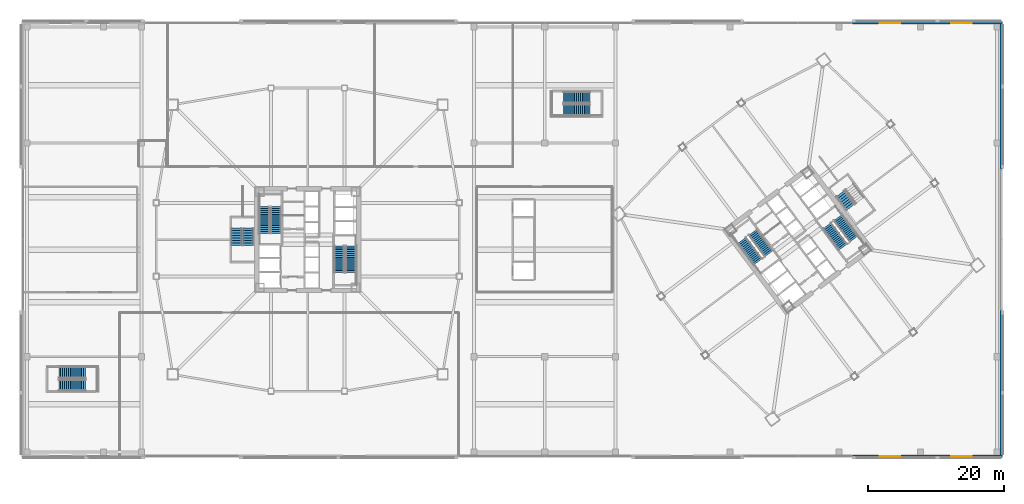
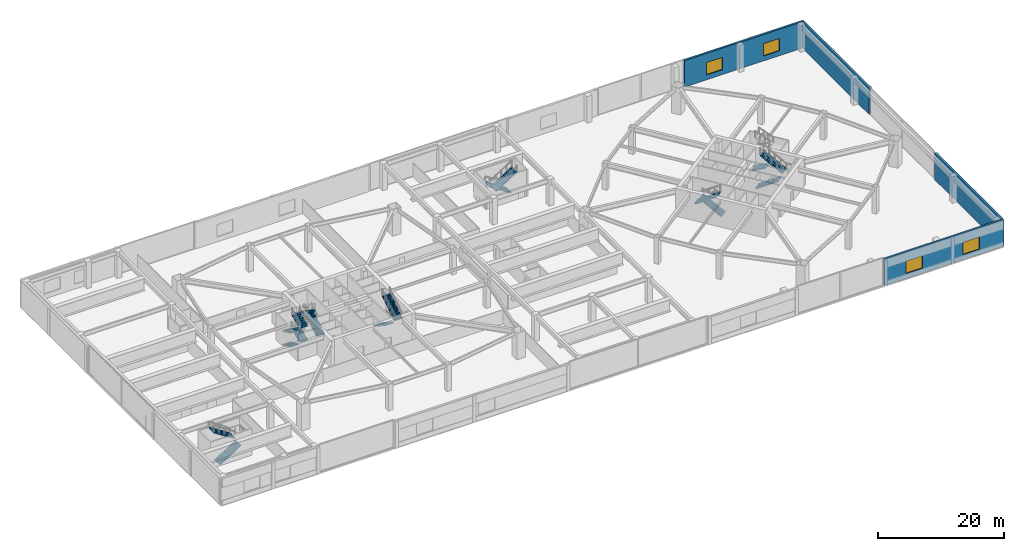
# One storey, part 38 of 48: 17 stair flights, 4 walls, 4 windows, 4 openings, 8 elements without a shape of their own.
"""IFC4 building model written with IfcOpenShell, lengths in metres."""

from ifc_helpers import new_model, si_unit, direction, frame, frame_2d, origin, place, context, subcontext, project, spatial, polyline, rectangle, outline, extrude, material, layer, layer_set, type_object, element, fill, aggregate, save


model = new_model("IFC4")

# Units and contexts
model_context = context("Model", 3, precision=1e-05, world=origin(), true_north=direction((0.0, 1.0)))
body_context = subcontext(model_context, "Body", "Model", "MODEL_VIEW")
ifc_project = project(units=[si_unit("LENGTHUNIT", "METRE"), si_unit("AREAUNIT", "SQUARE_METRE"), si_unit("VOLUMEUNIT", "CUBIC_METRE"), si_unit("PLANEANGLEUNIT", "RADIAN"), si_unit("MASSUNIT", "GRAM", prefix="KILO")], contexts=[model_context])

# Site, building, storey
site_placement = place(None, origin())
site = spatial("IfcSite", under=ifc_project, at=site_placement, CompositionType="ELEMENT")
building_placement = place(site_placement, origin())
building = spatial("IfcBuilding", under=site, at=building_placement, Name="Tashvorn Skyway Center", CompositionType="ELEMENT")
storey_placement = place(building_placement, frame((0.0, 0.0, 10.199951171875)))
storey = spatial("IfcBuildingStorey", under=building, at=storey_placement, Name="L02", CompositionType="ELEMENT", Elevation=10.199951171875)

# Wall, openings, windows
ifc_material_1 = material(Name="Precast concrete C40/50", Category="concrete")
ifc_layer = layer(ifc_material_1, 0.35009765625)
ifc_layer_set = layer_set([ifc_layer], Name="Precast concrete C40/50")
wall_type = type_object("IfcWallType", Name="WALL-EXT-350", PredefinedType="SOLIDWALL", material=ifc_layer_set)
wall_1_placement = place(storey_placement, frame((144.0, 0.175048828125, 0.0), z_axis=(0.0, 0.0, 1.0), x_axis=(-1.0, 0.0, 0.0)))
wall_1 = element("IfcWall", 1, at=wall_1_placement, inside=storey, type_object=wall_type, Name="L02 South Postmodern Pier Wall E1", PredefinedType="SOLIDWALL", context=body_context, shape_type="SweptSolid", body=[
    extrude(rectangle(XDim=22.0, YDim=0.35009765625, at=frame_2d((11.0, 0.0))), origin(), (0.0, 0.0, 1.0), 5.14013671875),
])
opening_1_placement = place(wall_1_placement, frame((15.0, 0.0, 0.949951171875)))
opening_1 = element("IfcOpeningElement", 2, at=opening_1_placement, cuts=wall_1, Name="Opening WIN-3000", PredefinedType="OPENING", context=body_context, shape_type="SweptSolid", body=[
    extrude(rectangle(XDim=3.0, YDim=2.39990234375, at=frame_2d((1.5, 1.199951171875))), frame((0.0, 0.18505859375, 0.0), z_axis=(0.0, -1.0, 0.0), x_axis=(1.0, 0.0, 0.0)), (0.0, 0.0, 1.0), 0.3701171875),
])
opening_2_placement = place(wall_1_placement, frame((4.5, 0.0, 0.949951171875)))
opening_2 = element("IfcOpeningElement", 3, at=opening_2_placement, cuts=wall_1, Name="Opening WIN-3000", PredefinedType="OPENING", context=body_context, shape_type="SweptSolid", body=[
    extrude(rectangle(XDim=3.0, YDim=2.39990234375, at=frame_2d((1.5, 1.199951171875))), frame((0.0, 0.18505859375, 0.0), z_axis=(0.0, -1.0, 0.0), x_axis=(1.0, 0.0, 0.0)), (0.0, 0.0, 1.0), 0.3701171875),
])
ifc_material_2 = material(Name="Low-E solar-control double insulating safety glass", Category="glass")
window_type = type_object("IfcWindowType", Name="WIN-POD-3000", PartitioningType="SINGLE_PANEL", PredefinedType="WINDOW", material=ifc_material_2)
window_1_placement = place(opening_1_placement, origin())
window_1 = element("IfcWindow", 4, at=window_1_placement, inside=storey, type_object=window_type, Name="L02 South Station Pier Window 06", OverallHeight=2.39990234375, OverallWidth=3.0, PartitioningType="SINGLE_PANEL", PredefinedType="WINDOW", context=body_context, shape_type="SweptSolid", body=[
    extrude(rectangle(XDim=3.0, YDim=2.39990234375, at=frame_2d((1.5, 1.199951171875))), frame((0.0, 0.030029296875, 0.0), z_axis=(0.0, -1.0, 0.0), x_axis=(1.0, 0.0, 0.0)), (0.0, 0.0, 1.0), 0.06005859375),
])
fill(opening_1, window_1)
window_2_placement = place(opening_2_placement, origin())
window_2 = element("IfcWindow", 5, at=window_2_placement, inside=storey, type_object=window_type, Name="L02 South Station Pier Window 07", OverallHeight=2.39990234375, OverallWidth=3.0, PartitioningType="SINGLE_PANEL", PredefinedType="WINDOW", context=body_context, shape_type="SweptSolid", body=[
    extrude(rectangle(XDim=3.0, YDim=2.39990234375, at=frame_2d((1.5, 1.199951171875))), frame((0.0, 0.030029296875, 0.0), z_axis=(0.0, -1.0, 0.0), x_axis=(1.0, 0.0, 0.0)), (0.0, 0.0, 1.0), 0.06005859375),
])
fill(opening_2, window_2)

wall_2_placement = place(storey_placement, frame((122.0, 63.824951171875, 0.0), z_axis=(0.0, 0.0, 1.0), x_axis=(1.0, 0.0, 0.0)))
wall_2 = element("IfcWall", 6, at=wall_2_placement, inside=storey, type_object=wall_type, Name="L02 North Postmodern Pier Wall E1", PredefinedType="SOLIDWALL", context=body_context, shape_type="SweptSolid", body=[
    extrude(rectangle(XDim=22.0, YDim=0.35009765625, at=frame_2d((11.0, 0.0))), origin(), (0.0, 0.0, 1.0), 5.14013671875),
])
opening_3_placement = place(wall_2_placement, frame((4.0, 0.0, 0.949951171875)))
opening_3 = element("IfcOpeningElement", 7, at=opening_3_placement, cuts=wall_2, Name="Opening WIN-3000", PredefinedType="OPENING", context=body_context, shape_type="SweptSolid", body=[
    extrude(rectangle(XDim=3.0, YDim=2.39990234375, at=frame_2d((1.5, 1.199951171875))), frame((0.0, 0.18505859375, 0.0), z_axis=(0.0, -1.0, 0.0), x_axis=(1.0, 0.0, 0.0)), (0.0, 0.0, 1.0), 0.3701171875),
])
opening_4_placement = place(wall_2_placement, frame((14.5, 0.0, 0.949951171875)))
opening_4 = element("IfcOpeningElement", 8, at=opening_4_placement, cuts=wall_2, Name="Opening WIN-3000", PredefinedType="OPENING", context=body_context, shape_type="SweptSolid", body=[
    extrude(rectangle(XDim=3.0, YDim=2.39990234375, at=frame_2d((1.5, 1.199951171875))), frame((0.0, 0.18505859375, 0.0), z_axis=(0.0, -1.0, 0.0), x_axis=(1.0, 0.0, 0.0)), (0.0, 0.0, 1.0), 0.3701171875),
])
window_3_placement = place(opening_3_placement, origin())
window_3 = element("IfcWindow", 9, at=window_3_placement, inside=storey, type_object=window_type, Name="L02 North Station Pier Window 06", OverallHeight=2.39990234375, OverallWidth=3.0, PartitioningType="SINGLE_PANEL", PredefinedType="WINDOW", context=body_context, shape_type="SweptSolid", body=[
    extrude(rectangle(XDim=3.0, YDim=2.39990234375, at=frame_2d((1.5, 1.199951171875))), frame((0.0, 0.030029296875, 0.0), z_axis=(0.0, -1.0, 0.0), x_axis=(1.0, 0.0, 0.0)), (0.0, 0.0, 1.0), 0.06005859375),
])
fill(opening_3, window_3)
window_4_placement = place(opening_4_placement, origin())
window_4 = element("IfcWindow", 10, at=window_4_placement, inside=storey, type_object=window_type, Name="L02 North Station Pier Window 07", OverallHeight=2.39990234375, OverallWidth=3.0, PartitioningType="SINGLE_PANEL", PredefinedType="WINDOW", context=body_context, shape_type="SweptSolid", body=[
    extrude(rectangle(XDim=3.0, YDim=2.39990234375, at=frame_2d((1.5, 1.199951171875))), frame((0.0, 0.030029296875, 0.0), z_axis=(0.0, -1.0, 0.0), x_axis=(1.0, 0.0, 0.0)), (0.0, 0.0, 1.0), 0.06005859375),
])
fill(opening_4, window_4)

# Walls
for number, where, z_axis, x_axis, name in (
    (11, (143.824951171875, 63.64990234375, 0.0), (0.0, 0.0, 1.0), (0.0, -1.0, 0.0), "L02 East-North Postmodern Facade Wall"),
    (12, (143.824951171875, 21.60009765625, 0.0), (0.0, 0.0, 1.0), (0.0, -1.0, 0.0), "L02 East-South Postmodern Facade Wall"),
):
    element("IfcWall", number, at=place(storey_placement, frame(where, z_axis=z_axis, x_axis=x_axis)), inside=storey, type_object=wall_type, Name=name, PredefinedType="SOLIDWALL", context=body_context, shape_type="SweptSolid", body=[
        extrude(rectangle(XDim=21.25, YDim=0.35009765625, at=frame_2d((10.625, 0.0))), origin(), (0.0, 0.0, 1.0), 5.14013671875),
    ])

# Stair, stair flights
ifc_material_3 = material(Name="Concrete C40/50", Category="concrete")
stair_type_1 = type_object("IfcStairType", Name="STAIR-CORE-1500", PredefinedType="HALF_TURN_STAIR", material=ifc_material_3)
stair_1_placement = place(storey_placement, origin())
stair_1 = element("IfcStair", 13, at=stair_1_placement, inside=storey, type_object=stair_type_1, Name="L02 Tower 1 Exit Stair 1", PredefinedType="HALF_TURN_STAIR")
stair_flight_type_1 = type_object("IfcStairFlightType", Name="SFLIGHT-1500", PredefinedType="STRAIGHT", material=ifc_material_3)
stair_flight_1_placement = place(storey_placement, frame((37.35009765625, 32.919921875, 0.0), z_axis=(0.0, 0.0, 1.0), x_axis=(0.0, 1.0, 0.0)))
stair_flight_1 = element("IfcStairFlight", 14, at=stair_flight_1_placement, type_object=stair_flight_type_1, Name="ST-T1-1 flight 1", NumberOfRisers=15, NumberOfTreads=14, PredefinedType="STRAIGHT", RiserHeight=0.18, TreadLength=0.28, context=body_context, shape_type="SweptSolid", body=[
    extrude(outline(polyline([(0.0, 0.0), (0.0, 0.179931640625), (0.280029296875, 0.179931640625), (0.280029296875, 0.360107421875), (0.56005859375, 0.360107421875), (0.56005859375, 0.5400390625), (0.840087890625, 0.5400390625), (0.840087890625, 0.719970703125), (1.1201171875, 0.719970703125), (1.1201171875, 0.89990234375), (1.39990234375, 0.89990234375), (1.39990234375, 1.080078125), (1.679931640625, 1.080078125), (1.679931640625, 1.260009765625), (1.9599609375, 1.260009765625), (1.9599609375, 1.43994140625), (2.239990234375, 1.43994140625), (2.239990234375, 1.6201171875), (2.52001953125, 1.6201171875), (2.52001953125, 1.800048828125), (2.800048828125, 1.800048828125), (2.800048828125, 1.97998046875), (3.080078125, 1.97998046875), (3.080078125, 2.159912109375), (3.360107421875, 2.159912109375), (3.360107421875, 2.340087890625), (3.639892578125, 2.340087890625), (3.639892578125, 2.52001953125), (3.919921875, 2.52001953125), (3.919921875, 2.699951171875), (3.919921875, 2.341796875), (0.277099609375, 0.0), (0.0, 0.0)])), frame((0.0, 0.75, 0.0), z_axis=(0.0, -1.0, 0.0), x_axis=(1.0, 0.0, 0.0)), (0.0, 0.0, 1.0), 1.5),
])
stair_flight_2_placement = place(storey_placement, frame((35.64990234375, 36.840087890625, 2.699951171875), z_axis=(0.0, 0.0, 1.0), x_axis=(0.0, -1.0, 0.0)))
stair_flight_2 = element("IfcStairFlight", 15, at=stair_flight_2_placement, type_object=stair_flight_type_1, Name="ST-T1-1 flight 2", NumberOfRisers=15, NumberOfTreads=14, PredefinedType="STRAIGHT", RiserHeight=0.18, TreadLength=0.28, context=body_context, shape_type="SweptSolid", body=[
    extrude(outline(polyline([(0.0, 0.0), (0.0, 0.179931640625), (0.280029296875, 0.179931640625), (0.280029296875, 0.360107421875), (0.56005859375, 0.360107421875), (0.56005859375, 0.5400390625), (0.840087890625, 0.5400390625), (0.840087890625, 0.719970703125), (1.1201171875, 0.719970703125), (1.1201171875, 0.89990234375), (1.39990234375, 0.89990234375), (1.39990234375, 1.080078125), (1.679931640625, 1.080078125), (1.679931640625, 1.260009765625), (1.9599609375, 1.260009765625), (1.9599609375, 1.43994140625), (2.239990234375, 1.43994140625), (2.239990234375, 1.6201171875), (2.52001953125, 1.6201171875), (2.52001953125, 1.800048828125), (2.800048828125, 1.800048828125), (2.800048828125, 1.97998046875), (3.080078125, 1.97998046875), (3.080078125, 2.159912109375), (3.360107421875, 2.159912109375), (3.360107421875, 2.340087890625), (3.639892578125, 2.340087890625), (3.639892578125, 2.52001953125), (3.919921875, 2.52001953125), (3.919921875, 2.699951171875), (3.919921875, 2.341796875), (0.277099609375, 0.0), (0.0, 0.0)])), frame((0.0, 0.75, 0.0), z_axis=(0.0, -1.0, 0.0), x_axis=(1.0, 0.0, 0.0)), (0.0, 0.0, 1.0), 1.5),
])
aggregate(stair_1, [stair_flight_1, stair_flight_2])

stair_2_placement = place(storey_placement, origin())
stair_2 = element("IfcStair", 16, at=stair_2_placement, inside=storey, type_object=stair_type_1, Name="L02 Tower 1 Exit Stair 2", PredefinedType="HALF_TURN_STAIR")
stair_flight_3_placement = place(storey_placement, frame((46.64990234375, 31.080078125, 0.0), z_axis=(0.0, 0.0, 1.0), x_axis=(0.0, -1.0, 0.0)))
stair_flight_3 = element("IfcStairFlight", 17, at=stair_flight_3_placement, type_object=stair_flight_type_1, Name="ST-T1-2 flight 1", NumberOfRisers=15, NumberOfTreads=14, PredefinedType="STRAIGHT", RiserHeight=0.18, TreadLength=0.28, context=body_context, shape_type="SweptSolid", body=[
    extrude(outline(polyline([(0.0, 0.0), (0.0, 0.179931640625), (0.280029296875, 0.179931640625), (0.280029296875, 0.360107421875), (0.56005859375, 0.360107421875), (0.56005859375, 0.5400390625), (0.840087890625, 0.5400390625), (0.840087890625, 0.719970703125), (1.1201171875, 0.719970703125), (1.1201171875, 0.89990234375), (1.39990234375, 0.89990234375), (1.39990234375, 1.080078125), (1.679931640625, 1.080078125), (1.679931640625, 1.260009765625), (1.9599609375, 1.260009765625), (1.9599609375, 1.43994140625), (2.239990234375, 1.43994140625), (2.239990234375, 1.6201171875), (2.52001953125, 1.6201171875), (2.52001953125, 1.800048828125), (2.800048828125, 1.800048828125), (2.800048828125, 1.97998046875), (3.080078125, 1.97998046875), (3.080078125, 2.159912109375), (3.360107421875, 2.159912109375), (3.360107421875, 2.340087890625), (3.639892578125, 2.340087890625), (3.639892578125, 2.52001953125), (3.919921875, 2.52001953125), (3.919921875, 2.699951171875), (3.919921875, 2.341796875), (0.277099609375, 0.0), (0.0, 0.0)])), frame((0.0, 0.75, 0.0), z_axis=(0.0, -1.0, 0.0), x_axis=(1.0, 0.0, 0.0)), (0.0, 0.0, 1.0), 1.5),
])
stair_flight_4_placement = place(storey_placement, frame((48.35009765625, 27.159912109375, 2.699951171875), z_axis=(0.0, 0.0, 1.0), x_axis=(0.0, 1.0, 0.0)))
stair_flight_4 = element("IfcStairFlight", 18, at=stair_flight_4_placement, type_object=stair_flight_type_1, Name="ST-T1-2 flight 2", NumberOfRisers=15, NumberOfTreads=14, PredefinedType="STRAIGHT", RiserHeight=0.18, TreadLength=0.28, context=body_context, shape_type="SweptSolid", body=[
    extrude(outline(polyline([(0.0, 0.0), (0.0, 0.179931640625), (0.280029296875, 0.179931640625), (0.280029296875, 0.360107421875), (0.56005859375, 0.360107421875), (0.56005859375, 0.5400390625), (0.840087890625, 0.5400390625), (0.840087890625, 0.719970703125), (1.1201171875, 0.719970703125), (1.1201171875, 0.89990234375), (1.39990234375, 0.89990234375), (1.39990234375, 1.080078125), (1.679931640625, 1.080078125), (1.679931640625, 1.260009765625), (1.9599609375, 1.260009765625), (1.9599609375, 1.43994140625), (2.239990234375, 1.43994140625), (2.239990234375, 1.6201171875), (2.52001953125, 1.6201171875), (2.52001953125, 1.800048828125), (2.800048828125, 1.800048828125), (2.800048828125, 1.97998046875), (3.080078125, 1.97998046875), (3.080078125, 2.159912109375), (3.360107421875, 2.159912109375), (3.360107421875, 2.340087890625), (3.639892578125, 2.340087890625), (3.639892578125, 2.52001953125), (3.919921875, 2.52001953125), (3.919921875, 2.699951171875), (3.919921875, 2.341796875), (0.277099609375, 0.0), (0.0, 0.0)])), frame((0.0, 0.75, 0.0), z_axis=(0.0, -1.0, 0.0), x_axis=(1.0, 0.0, 0.0)), (0.0, 0.0, 1.0), 1.5),
])
aggregate(stair_2, [stair_flight_3, stair_flight_4])

stair_3_placement = place(storey_placement, origin())
stair_3 = element("IfcStair", 19, at=stair_3_placement, inside=storey, type_object=stair_type_1, Name="L02 Tower 2 Exit Stair 1", PredefinedType="HALF_TURN_STAIR")
stair_flight_5_placement = place(storey_placement, frame((109.72802734375, 29.946044921875, 0.0), z_axis=(0.0, 0.0, 1.0), x_axis=(-0.600000004945, 0.799999996291, 0.0)))
stair_flight_5 = element("IfcStairFlight", 20, at=stair_flight_5_placement, type_object=stair_flight_type_1, Name="ST-T2-1 flight 1", NumberOfRisers=15, NumberOfTreads=14, PredefinedType="STRAIGHT", RiserHeight=0.18, TreadLength=0.28, context=body_context, shape_type="SweptSolid", body=[
    extrude(outline(polyline([(0.0, 0.0), (0.0, 0.179931640625), (0.280029296875, 0.179931640625), (0.280029296875, 0.360107421875), (0.56005859375, 0.360107421875), (0.56005859375, 0.5400390625), (0.840087890625, 0.5400390625), (0.840087890625, 0.719970703125), (1.1201171875, 0.719970703125), (1.1201171875, 0.89990234375), (1.39990234375, 0.89990234375), (1.39990234375, 1.080078125), (1.679931640625, 1.080078125), (1.679931640625, 1.260009765625), (1.9599609375, 1.260009765625), (1.9599609375, 1.43994140625), (2.239990234375, 1.43994140625), (2.239990234375, 1.6201171875), (2.52001953125, 1.6201171875), (2.52001953125, 1.800048828125), (2.800048828125, 1.800048828125), (2.800048828125, 1.97998046875), (3.080078125, 1.97998046875), (3.080078125, 2.159912109375), (3.360107421875, 2.159912109375), (3.360107421875, 2.340087890625), (3.639892578125, 2.340087890625), (3.639892578125, 2.52001953125), (3.919921875, 2.52001953125), (3.919921875, 2.699951171875), (3.919921875, 2.341796875), (0.277099609375, 0.0), (0.0, 0.0)])), frame((0.0, 0.75, 0.0), z_axis=(0.0, -1.0, 0.0), x_axis=(1.0, 0.0, 0.0)), (0.0, 0.0, 1.0), 1.5),
])
stair_flight_6_placement = place(storey_placement, frame((105.7919921875, 31.89404296875, 2.699951171875), z_axis=(0.0, 0.0, 1.0), x_axis=(0.600000004945, -0.799999996291, 0.0)))
stair_flight_6 = element("IfcStairFlight", 21, at=stair_flight_6_placement, type_object=stair_flight_type_1, Name="ST-T2-1 flight 2", NumberOfRisers=15, NumberOfTreads=14, PredefinedType="STRAIGHT", RiserHeight=0.18, TreadLength=0.28, context=body_context, shape_type="SweptSolid", body=[
    extrude(outline(polyline([(0.0, 0.0), (0.0, 0.179931640625), (0.280029296875, 0.179931640625), (0.280029296875, 0.360107421875), (0.56005859375, 0.360107421875), (0.56005859375, 0.5400390625), (0.840087890625, 0.5400390625), (0.840087890625, 0.719970703125), (1.1201171875, 0.719970703125), (1.1201171875, 0.89990234375), (1.39990234375, 0.89990234375), (1.39990234375, 1.080078125), (1.679931640625, 1.080078125), (1.679931640625, 1.260009765625), (1.9599609375, 1.260009765625), (1.9599609375, 1.43994140625), (2.239990234375, 1.43994140625), (2.239990234375, 1.6201171875), (2.52001953125, 1.6201171875), (2.52001953125, 1.800048828125), (2.800048828125, 1.800048828125), (2.800048828125, 1.97998046875), (3.080078125, 1.97998046875), (3.080078125, 2.159912109375), (3.360107421875, 2.159912109375), (3.360107421875, 2.340087890625), (3.639892578125, 2.340087890625), (3.639892578125, 2.52001953125), (3.919921875, 2.52001953125), (3.919921875, 2.699951171875), (3.919921875, 2.341796875), (0.277099609375, 0.0), (0.0, 0.0)])), frame((0.0, 0.75, 0.0), z_axis=(0.0, -1.0, 0.0), x_axis=(1.0, 0.0, 0.0)), (0.0, 0.0, 1.0), 1.5),
])
aggregate(stair_3, [stair_flight_5, stair_flight_6])

stair_4_placement = place(storey_placement, origin())
stair_4 = element("IfcStair", 22, at=stair_4_placement, inside=storey, type_object=stair_type_1, Name="L02 Tower 2 Exit Stair 2", PredefinedType="HALF_TURN_STAIR")
stair_flight_7_placement = place(storey_placement, frame((118.27197265625, 34.053955078125, 0.0), z_axis=(0.0, 0.0, 1.0), x_axis=(0.600000004945, -0.799999996291, 0.0)))
stair_flight_7 = element("IfcStairFlight", 23, at=stair_flight_7_placement, type_object=stair_flight_type_1, Name="ST-T2-2 flight 1", NumberOfRisers=15, NumberOfTreads=14, PredefinedType="STRAIGHT", RiserHeight=0.18, TreadLength=0.28, context=body_context, shape_type="SweptSolid", body=[
    extrude(outline(polyline([(0.0, 0.0), (0.0, 0.179931640625), (0.280029296875, 0.179931640625), (0.280029296875, 0.360107421875), (0.56005859375, 0.360107421875), (0.56005859375, 0.5400390625), (0.840087890625, 0.5400390625), (0.840087890625, 0.719970703125), (1.1201171875, 0.719970703125), (1.1201171875, 0.89990234375), (1.39990234375, 0.89990234375), (1.39990234375, 1.080078125), (1.679931640625, 1.080078125), (1.679931640625, 1.260009765625), (1.9599609375, 1.260009765625), (1.9599609375, 1.43994140625), (2.239990234375, 1.43994140625), (2.239990234375, 1.6201171875), (2.52001953125, 1.6201171875), (2.52001953125, 1.800048828125), (2.800048828125, 1.800048828125), (2.800048828125, 1.97998046875), (3.080078125, 1.97998046875), (3.080078125, 2.159912109375), (3.360107421875, 2.159912109375), (3.360107421875, 2.340087890625), (3.639892578125, 2.340087890625), (3.639892578125, 2.52001953125), (3.919921875, 2.52001953125), (3.919921875, 2.699951171875), (3.919921875, 2.341796875), (0.277099609375, 0.0), (0.0, 0.0)])), frame((0.0, 0.75, 0.0), z_axis=(0.0, -1.0, 0.0), x_axis=(1.0, 0.0, 0.0)), (0.0, 0.0, 1.0), 1.5),
])
stair_flight_8_placement = place(storey_placement, frame((122.2080078125, 32.10595703125, 2.699951171875), z_axis=(0.0, 0.0, 1.0), x_axis=(-0.600000004945, 0.799999996291, 0.0)))
stair_flight_8 = element("IfcStairFlight", 24, at=stair_flight_8_placement, type_object=stair_flight_type_1, Name="ST-T2-2 flight 2", NumberOfRisers=15, NumberOfTreads=14, PredefinedType="STRAIGHT", RiserHeight=0.18, TreadLength=0.28, context=body_context, shape_type="SweptSolid", body=[
    extrude(outline(polyline([(0.0, 0.0), (0.0, 0.179931640625), (0.280029296875, 0.179931640625), (0.280029296875, 0.360107421875), (0.56005859375, 0.360107421875), (0.56005859375, 0.5400390625), (0.840087890625, 0.5400390625), (0.840087890625, 0.719970703125), (1.1201171875, 0.719970703125), (1.1201171875, 0.89990234375), (1.39990234375, 0.89990234375), (1.39990234375, 1.080078125), (1.679931640625, 1.080078125), (1.679931640625, 1.260009765625), (1.9599609375, 1.260009765625), (1.9599609375, 1.43994140625), (2.239990234375, 1.43994140625), (2.239990234375, 1.6201171875), (2.52001953125, 1.6201171875), (2.52001953125, 1.800048828125), (2.800048828125, 1.800048828125), (2.800048828125, 1.97998046875), (3.080078125, 1.97998046875), (3.080078125, 2.159912109375), (3.360107421875, 2.159912109375), (3.360107421875, 2.340087890625), (3.639892578125, 2.340087890625), (3.639892578125, 2.52001953125), (3.919921875, 2.52001953125), (3.919921875, 2.699951171875), (3.919921875, 2.341796875), (0.277099609375, 0.0), (0.0, 0.0)])), frame((0.0, 0.75, 0.0), z_axis=(0.0, -1.0, 0.0), x_axis=(1.0, 0.0, 0.0)), (0.0, 0.0, 1.0), 1.5),
])
aggregate(stair_4, [stair_flight_7, stair_flight_8])

stair_5_placement = place(storey_placement, origin())
stair_5 = element("IfcStair", 25, at=stair_5_placement, inside=storey, type_object=stair_type_1, Name="L02 Tower 1 Exit Stair 3", PredefinedType="HALF_TURN_STAIR")
stair_flight_9_placement = place(storey_placement, frame((31.550048828125, 33.679931640625, 0.0), z_axis=(0.0, 0.0, 1.0), x_axis=(0.0, -1.0, 0.0)))
stair_flight_9 = element("IfcStairFlight", 26, at=stair_flight_9_placement, type_object=stair_flight_type_1, Name="ST-T1-3 flight 1", NumberOfRisers=8, NumberOfTreads=7, PredefinedType="STRAIGHT", RiserHeight=0.16875, TreadLength=0.36, context=body_context, shape_type="SweptSolid", body=[
    extrude(outline(polyline([(0.0, 0.0), (0.0, 0.168701171875), (0.360107421875, 0.168701171875), (0.360107421875, 0.33740234375), (0.719970703125, 0.33740234375), (0.719970703125, 0.50634765625), (1.080078125, 0.50634765625), (1.080078125, 0.675048828125), (1.43994140625, 0.675048828125), (1.43994140625, 0.84375), (1.800048828125, 0.84375), (1.800048828125, 1.012451171875), (2.159912109375, 1.012451171875), (2.159912109375, 1.18115234375), (2.52001953125, 1.18115234375), (2.52001953125, 1.35009765625), (2.52001953125, 1.015625), (0.353271484375, 0.0), (0.0, 0.0)])), frame((0.0, 0.75, 0.0), z_axis=(0.0, -1.0, 0.0), x_axis=(1.0, 0.0, 0.0)), (0.0, 0.0, 1.0), 1.5),
])
stair_flight_10_placement = place(storey_placement, frame((33.25, 31.159912109375, 1.35009765625), z_axis=(0.0, 0.0, 1.0), x_axis=(0.0, 1.0, 0.0)))
stair_flight_10 = element("IfcStairFlight", 27, at=stair_flight_10_placement, type_object=stair_flight_type_1, Name="ST-T1-3 flight 2", NumberOfRisers=8, NumberOfTreads=7, PredefinedType="STRAIGHT", RiserHeight=0.16875, TreadLength=0.36, context=body_context, shape_type="SweptSolid", body=[
    extrude(outline(polyline([(0.0, 0.0), (0.0, 0.168701171875), (0.360107421875, 0.168701171875), (0.360107421875, 0.33740234375), (0.719970703125, 0.33740234375), (0.719970703125, 0.50634765625), (1.080078125, 0.50634765625), (1.080078125, 0.675048828125), (1.43994140625, 0.675048828125), (1.43994140625, 0.84375), (1.800048828125, 0.84375), (1.800048828125, 1.012451171875), (2.159912109375, 1.012451171875), (2.159912109375, 1.18115234375), (2.52001953125, 1.18115234375), (2.52001953125, 1.35009765625), (2.52001953125, 1.015625), (0.353271484375, 0.0), (0.0, 0.0)])), frame((0.0, 0.75, 0.0), z_axis=(0.0, -1.0, 0.0), x_axis=(1.0, 0.0, 0.0)), (0.0, 0.0, 1.0), 1.5),
])
stair_flight_11_placement = place(storey_placement, frame((31.550048828125, 33.679931640625, 2.699951171875), z_axis=(0.0, 0.0, 1.0), x_axis=(0.0, -1.0, 0.0)))
stair_flight_11 = element("IfcStairFlight", 28, at=stair_flight_11_placement, type_object=stair_flight_type_1, Name="ST-T1-3 flight 3", NumberOfRisers=8, NumberOfTreads=7, PredefinedType="STRAIGHT", RiserHeight=0.16875, TreadLength=0.36, context=body_context, shape_type="SweptSolid", body=[
    extrude(outline(polyline([(0.0, 0.0), (0.0, 0.168701171875), (0.360107421875, 0.168701171875), (0.360107421875, 0.33740234375), (0.719970703125, 0.33740234375), (0.719970703125, 0.50634765625), (1.080078125, 0.50634765625), (1.080078125, 0.675048828125), (1.43994140625, 0.675048828125), (1.43994140625, 0.84375), (1.800048828125, 0.84375), (1.800048828125, 1.012451171875), (2.159912109375, 1.012451171875), (2.159912109375, 1.18115234375), (2.52001953125, 1.18115234375), (2.52001953125, 1.35009765625), (2.52001953125, 1.015625), (0.353271484375, 0.0), (0.0, 0.0)])), frame((0.0, 0.75, 0.0), z_axis=(0.0, -1.0, 0.0), x_axis=(1.0, 0.0, 0.0)), (0.0, 0.0, 1.0), 1.5),
])
stair_flight_12_placement = place(storey_placement, frame((33.25, 31.159912109375, 4.050048828125), z_axis=(0.0, 0.0, 1.0), x_axis=(0.0, 1.0, 0.0)))
stair_flight_12 = element("IfcStairFlight", 29, at=stair_flight_12_placement, type_object=stair_flight_type_1, Name="ST-T1-3 flight 4", NumberOfRisers=8, NumberOfTreads=7, PredefinedType="STRAIGHT", RiserHeight=0.16875, TreadLength=0.36, context=body_context, shape_type="SweptSolid", body=[
    extrude(outline(polyline([(0.0, 0.0), (0.0, 0.168701171875), (0.360107421875, 0.168701171875), (0.360107421875, 0.33740234375), (0.719970703125, 0.33740234375), (0.719970703125, 0.50634765625), (1.080078125, 0.50634765625), (1.080078125, 0.675048828125), (1.43994140625, 0.675048828125), (1.43994140625, 0.84375), (1.800048828125, 0.84375), (1.800048828125, 1.012451171875), (2.159912109375, 1.012451171875), (2.159912109375, 1.18115234375), (2.52001953125, 1.18115234375), (2.52001953125, 1.35009765625), (2.52001953125, 1.015625), (0.353271484375, 0.0), (0.0, 0.0)])), frame((0.0, 0.75, 0.0), z_axis=(0.0, -1.0, 0.0), x_axis=(1.0, 0.0, 0.0)), (0.0, 0.0, 1.0), 1.5),
])
aggregate(stair_5, [stair_flight_9, stair_flight_10, stair_flight_11, stair_flight_12])

# Stair, stair flight
stair_6_placement = place(storey_placement, origin())
stair_6 = element("IfcStair", 30, at=stair_6_placement, inside=storey, type_object=stair_type_1, Name="L02 Tower 2 Exit Stair 3", PredefinedType="HALF_TURN_STAIR")
stair_flight_13_placement = place(storey_placement, frame((120.216064453125, 38.761962890625, 0.0), z_axis=(0.0, 0.0, 1.0), x_axis=(0.600000004945, -0.799999996291, 0.0)))
stair_flight_13 = element("IfcStairFlight", 31, at=stair_flight_13_placement, type_object=stair_flight_type_1, Name="ST-T2-3 flight 1", NumberOfRisers=8, NumberOfTreads=7, PredefinedType="STRAIGHT", RiserHeight=0.16875, TreadLength=0.36, context=body_context, shape_type="SweptSolid", body=[
    extrude(outline(polyline([(0.0, 0.0), (0.0, 0.168701171875), (0.360107421875, 0.168701171875), (0.360107421875, 0.33740234375), (0.719970703125, 0.33740234375), (0.719970703125, 0.50634765625), (1.080078125, 0.50634765625), (1.080078125, 0.675048828125), (1.43994140625, 0.675048828125), (1.43994140625, 0.84375), (1.800048828125, 0.84375), (1.800048828125, 1.012451171875), (2.159912109375, 1.012451171875), (2.159912109375, 1.18115234375), (2.52001953125, 1.18115234375), (2.52001953125, 1.35009765625), (2.52001953125, 1.015625), (0.353271484375, 0.0), (0.0, 0.0)])), frame((0.0, 0.75, 0.0), z_axis=(0.0, -1.0, 0.0), x_axis=(1.0, 0.0, 0.0)), (0.0, 0.0, 1.0), 1.5),
])
aggregate(stair_6, [stair_flight_13])

# Stair, stair flights
stair_type_2 = type_object("IfcStairType", Name="STAIR-POD-1650", PredefinedType="HALF_TURN_STAIR", material=ifc_material_3)
stair_7_placement = place(storey_placement, origin())
stair_7 = element("IfcStair", 32, at=stair_7_placement, inside=storey, type_object=stair_type_2, Name="L02 Podium West Exit Stair 1", PredefinedType="HALF_TURN_STAIR")
stair_flight_type_2 = type_object("IfcStairFlightType", Name="SFLIGHT-1650", PredefinedType="STRAIGHT", material=ifc_material_3)
stair_flight_14_placement = place(storey_placement, frame((5.449951171875, 10.625, 0.0), z_axis=(0.0, 0.0, 1.0), x_axis=(1.0, 0.0, 0.0)))
stair_flight_14 = element("IfcStairFlight", 33, at=stair_flight_14_placement, type_object=stair_flight_type_2, Name="ST-POD-1 flight 1", NumberOfRisers=15, NumberOfTreads=14, PredefinedType="STRAIGHT", RiserHeight=0.18, TreadLength=0.28, context=body_context, shape_type="SweptSolid", body=[
    extrude(outline(polyline([(0.0, 0.0), (0.0, 0.179931640625), (0.280029296875, 0.179931640625), (0.280029296875, 0.360107421875), (0.56005859375, 0.360107421875), (0.56005859375, 0.5400390625), (0.840087890625, 0.5400390625), (0.840087890625, 0.719970703125), (1.1201171875, 0.719970703125), (1.1201171875, 0.89990234375), (1.39990234375, 0.89990234375), (1.39990234375, 1.080078125), (1.679931640625, 1.080078125), (1.679931640625, 1.260009765625), (1.9599609375, 1.260009765625), (1.9599609375, 1.43994140625), (2.239990234375, 1.43994140625), (2.239990234375, 1.6201171875), (2.52001953125, 1.6201171875), (2.52001953125, 1.800048828125), (2.800048828125, 1.800048828125), (2.800048828125, 1.97998046875), (3.080078125, 1.97998046875), (3.080078125, 2.159912109375), (3.360107421875, 2.159912109375), (3.360107421875, 2.340087890625), (3.639892578125, 2.340087890625), (3.639892578125, 2.52001953125), (3.919921875, 2.52001953125), (3.919921875, 2.699951171875), (3.919921875, 2.341796875), (0.277099609375, 0.0), (0.0, 0.0)])), frame((0.0, 0.824951171875, 0.0), z_axis=(0.0, -1.0, 0.0), x_axis=(1.0, 0.0, 0.0)), (0.0, 0.0, 1.0), 1.64990234375),
])
stair_flight_15_placement = place(storey_placement, frame((9.3701171875, 12.47509765625, 2.699951171875), z_axis=(0.0, 0.0, 1.0), x_axis=(-1.0, 0.0, 0.0)))
stair_flight_15 = element("IfcStairFlight", 34, at=stair_flight_15_placement, type_object=stair_flight_type_2, Name="ST-POD-1 flight 2", NumberOfRisers=15, NumberOfTreads=14, PredefinedType="STRAIGHT", RiserHeight=0.18, TreadLength=0.28, context=body_context, shape_type="SweptSolid", body=[
    extrude(outline(polyline([(0.0, 0.0), (0.0, 0.179931640625), (0.280029296875, 0.179931640625), (0.280029296875, 0.360107421875), (0.56005859375, 0.360107421875), (0.56005859375, 0.5400390625), (0.840087890625, 0.5400390625), (0.840087890625, 0.719970703125), (1.1201171875, 0.719970703125), (1.1201171875, 0.89990234375), (1.39990234375, 0.89990234375), (1.39990234375, 1.080078125), (1.679931640625, 1.080078125), (1.679931640625, 1.260009765625), (1.9599609375, 1.260009765625), (1.9599609375, 1.43994140625), (2.239990234375, 1.43994140625), (2.239990234375, 1.6201171875), (2.52001953125, 1.6201171875), (2.52001953125, 1.800048828125), (2.800048828125, 1.800048828125), (2.800048828125, 1.97998046875), (3.080078125, 1.97998046875), (3.080078125, 2.159912109375), (3.360107421875, 2.159912109375), (3.360107421875, 2.340087890625), (3.639892578125, 2.340087890625), (3.639892578125, 2.52001953125), (3.919921875, 2.52001953125), (3.919921875, 2.699951171875), (3.919921875, 2.341796875), (0.277099609375, 0.0), (0.0, 0.0)])), frame((0.0, 0.824951171875, 0.0), z_axis=(0.0, -1.0, 0.0), x_axis=(1.0, 0.0, 0.0)), (0.0, 0.0, 1.0), 1.64990234375),
])
aggregate(stair_7, [stair_flight_14, stair_flight_15])

stair_8_placement = place(storey_placement, origin())
stair_8 = element("IfcStair", 35, at=stair_8_placement, inside=storey, type_object=stair_type_2, Name="L02 Podium East Exit Stair 2", PredefinedType="HALF_TURN_STAIR")
stair_flight_16_placement = place(storey_placement, frame((83.449951171875, 52.875, 0.0), z_axis=(0.0, 0.0, 1.0), x_axis=(-1.0, 0.0, 0.0)))
stair_flight_16 = element("IfcStairFlight", 36, at=stair_flight_16_placement, type_object=stair_flight_type_2, Name="ST-POD-2 flight 1", NumberOfRisers=15, NumberOfTreads=14, PredefinedType="STRAIGHT", RiserHeight=0.18, TreadLength=0.28, context=body_context, shape_type="SweptSolid", body=[
    extrude(outline(polyline([(0.0, 0.0), (0.0, 0.179931640625), (0.280029296875, 0.179931640625), (0.280029296875, 0.360107421875), (0.56005859375, 0.360107421875), (0.56005859375, 0.5400390625), (0.840087890625, 0.5400390625), (0.840087890625, 0.719970703125), (1.1201171875, 0.719970703125), (1.1201171875, 0.89990234375), (1.39990234375, 0.89990234375), (1.39990234375, 1.080078125), (1.679931640625, 1.080078125), (1.679931640625, 1.260009765625), (1.9599609375, 1.260009765625), (1.9599609375, 1.43994140625), (2.239990234375, 1.43994140625), (2.239990234375, 1.6201171875), (2.52001953125, 1.6201171875), (2.52001953125, 1.800048828125), (2.800048828125, 1.800048828125), (2.800048828125, 1.97998046875), (3.080078125, 1.97998046875), (3.080078125, 2.159912109375), (3.360107421875, 2.159912109375), (3.360107421875, 2.340087890625), (3.639892578125, 2.340087890625), (3.639892578125, 2.52001953125), (3.919921875, 2.52001953125), (3.919921875, 2.699951171875), (3.919921875, 2.341796875), (0.277099609375, 0.0), (0.0, 0.0)])), frame((0.0, 0.824951171875, 0.0), z_axis=(0.0, -1.0, 0.0), x_axis=(1.0, 0.0, 0.0)), (0.0, 0.0, 1.0), 1.64990234375),
])
stair_flight_17_placement = place(storey_placement, frame((79.530029296875, 51.02490234375, 2.699951171875), z_axis=(0.0, 0.0, 1.0), x_axis=(1.0, 0.0, 0.0)))
stair_flight_17 = element("IfcStairFlight", 37, at=stair_flight_17_placement, type_object=stair_flight_type_2, Name="ST-POD-2 flight 2", NumberOfRisers=15, NumberOfTreads=14, PredefinedType="STRAIGHT", RiserHeight=0.18, TreadLength=0.28, context=body_context, shape_type="SweptSolid", body=[
    extrude(outline(polyline([(0.0, 0.0), (0.0, 0.179931640625), (0.280029296875, 0.179931640625), (0.280029296875, 0.360107421875), (0.56005859375, 0.360107421875), (0.56005859375, 0.5400390625), (0.840087890625, 0.5400390625), (0.840087890625, 0.719970703125), (1.1201171875, 0.719970703125), (1.1201171875, 0.89990234375), (1.39990234375, 0.89990234375), (1.39990234375, 1.080078125), (1.679931640625, 1.080078125), (1.679931640625, 1.260009765625), (1.9599609375, 1.260009765625), (1.9599609375, 1.43994140625), (2.239990234375, 1.43994140625), (2.239990234375, 1.6201171875), (2.52001953125, 1.6201171875), (2.52001953125, 1.800048828125), (2.800048828125, 1.800048828125), (2.800048828125, 1.97998046875), (3.080078125, 1.97998046875), (3.080078125, 2.159912109375), (3.360107421875, 2.159912109375), (3.360107421875, 2.340087890625), (3.639892578125, 2.340087890625), (3.639892578125, 2.52001953125), (3.919921875, 2.52001953125), (3.919921875, 2.699951171875), (3.919921875, 2.341796875), (0.277099609375, 0.0), (0.0, 0.0)])), frame((0.0, 0.824951171875, 0.0), z_axis=(0.0, -1.0, 0.0), x_axis=(1.0, 0.0, 0.0)), (0.0, 0.0, 1.0), 1.64990234375),
])
aggregate(stair_8, [stair_flight_16, stair_flight_17])

save(model, "model.ifc")
